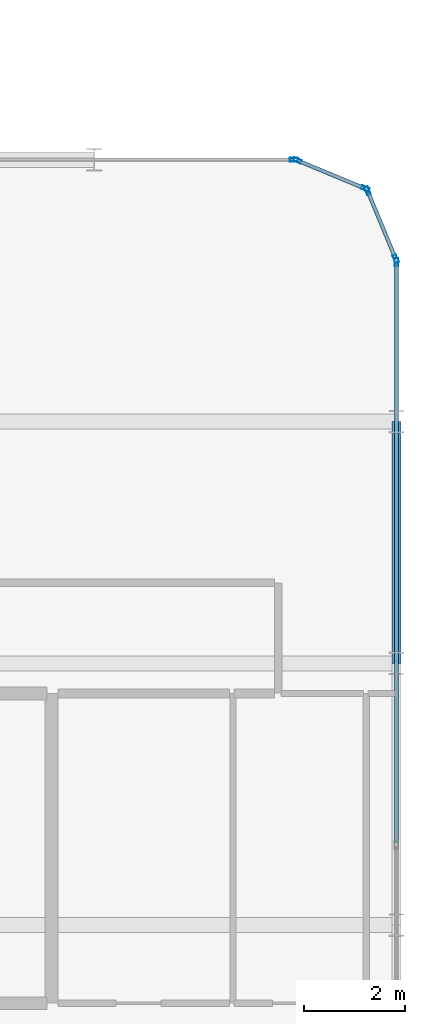
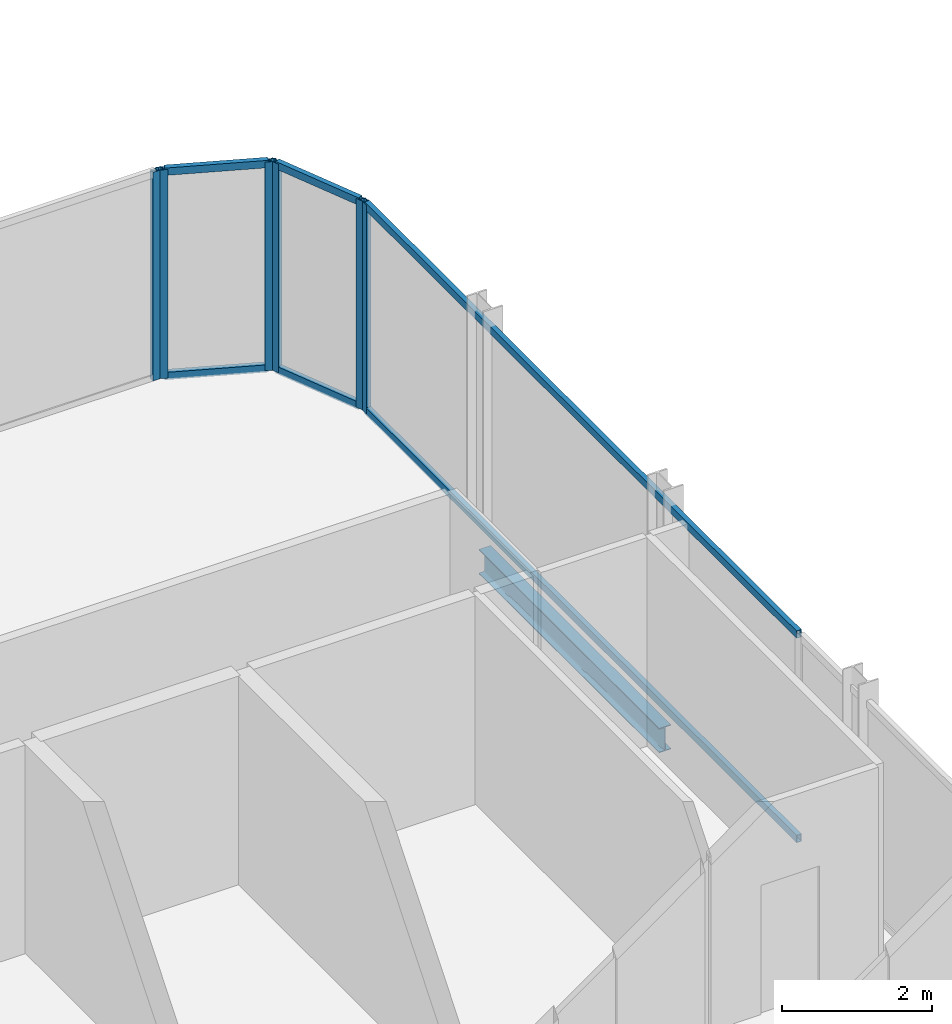
# One storey, part 15 of 29: 12 members, 1 beam, 4 elements without a shape of their own.
"""IFC4 building model written with IfcOpenShell, lengths in metres."""

from ifc_helpers import new_model, si_unit, direction, frame, origin, origin_2d, place, context, subcontext, project, spatial, hollow_rectangle, i_section, extrude, material, layer, layer_set, material_profile, profile_set, type_object, element, aggregate, save


model = new_model("IFC4")

# Units and contexts
model_context = context("Model", 3, precision=1e-05, world=origin(), true_north=direction((0.0, 1.0)))
body_context = subcontext(model_context, "Body", "Model", "MODEL_VIEW")
ifc_project = project(units=[si_unit("LENGTHUNIT", "METRE"), si_unit("AREAUNIT", "SQUARE_METRE"), si_unit("VOLUMEUNIT", "CUBIC_METRE"), si_unit("PLANEANGLEUNIT", "RADIAN"), si_unit("MASSUNIT", "GRAM", prefix="KILO")], contexts=[model_context])

# Site, building, storey
site_placement = place(None, origin())
site = spatial("IfcSite", under=ifc_project, at=site_placement, CompositionType="ELEMENT")
building_placement = place(site_placement, origin())
building = spatial("IfcBuilding", under=site, at=building_placement, Name="Keshet Zoharim Tower", CompositionType="ELEMENT")
storey_placement = place(building_placement, frame((0.0, 0.0, 169.10009765625)))
storey = spatial("IfcBuildingStorey", under=building, at=storey_placement, Name="L41", CompositionType="ELEMENT", Elevation=169.10009765625)

# Beam
ifc_material_1 = material(Name="Steel S355", Category="steel")
ifc_material_profile_1 = material_profile(ifc_material_1, i_section(OverallWidth=0.179931640625, OverallDepth=0.39990234375, WebThickness=0.008544921875, FlangeThickness=0.013427734375, FilletRadius=0.02099609375, at=origin_2d()), Name="IPE400")
ifc_profile_set_1 = profile_set([ifc_material_profile_1], Name="Steel S355")
beam_type = type_object("IfcBeamType", Name="BM-PRI-IP400", PredefinedType="BEAM", material=ifc_profile_set_1)
beam_placement = place(storey_placement, frame((57.0, 17.89990234375, -0.510009765625), z_axis=(0.0, 1.0, 0.0), x_axis=(-1.0, 0.0, 0.0)))
element("IfcBeam", 1, at=beam_placement, inside=storey, type_object=beam_type, Name="L41 Primary Girder Y-015", PredefinedType="BEAM", context=body_context, shape_type="SweptSolid", body=[
    extrude(i_section(OverallWidth=0.179931640625, OverallDepth=0.39990234375, WebThickness=0.008544921875, FlangeThickness=0.013427734375, FilletRadius=0.02099609375, at=origin_2d()), origin(), (0.0, 0.0, 1.0), 4.800048828125),
])

# Curtain wall, members
ifc_material_2 = material(Name="Aluminium 6063-T6", Category="aluminium")
ifc_layer = layer(ifc_material_2, 0.139892578125)
ifc_layer_set = layer_set([ifc_layer], Name="Aluminium 6063-T6")
curtain_wall_type = type_object("IfcCurtainWallType", Name="CW-SYS-05", PredefinedType="NOTDEFINED", material=ifc_layer_set)
curtain_wall_1_placement = place(storey_placement, origin())
curtain_wall_1 = element("IfcCurtainWall", 2, at=curtain_wall_1_placement, inside=storey, type_object=curtain_wall_type, Name="L41 Unitised Curtain Wall 01", PredefinedType="NOTDEFINED")
ifc_material_profile_2 = material_profile(ifc_material_2, hollow_rectangle(XDim=0.074951171875, YDim=0.159912109375, WallThickness=0.00390625, at=origin_2d()), Name="MUL-75x160")
ifc_profile_set_2 = profile_set([ifc_material_profile_2], Name="Aluminium 6063-T6")
member_type_1 = type_object("IfcMemberType", Name="CWM-M15", PredefinedType="MULLION", material=ifc_profile_set_2)
member_1_placement = place(storey_placement, frame((55.0322265625, 27.88671875, 0.0), z_axis=(0.0, 0.0, 1.0), x_axis=(0.382851849847, 0.92380975372, 0.0)))
member_1 = element("IfcMember", 3, at=member_1_placement, type_object=member_type_1, Name="CW-05 mullion 1", PredefinedType="MULLION", context=body_context, shape_type="SweptSolid", body=[
    extrude(hollow_rectangle(XDim=0.074951171875, YDim=0.159912109375, WallThickness=0.00390625, at=origin_2d()), origin(), (0.0, 0.0, 1.0), 3.389892578125),
])
member_2_placement = place(storey_placement, frame((56.381591796875, 27.327392578125, 0.0), z_axis=(0.0, 0.0, 1.0), x_axis=(0.382851849847, 0.92380975372, 0.0)))
member_2 = element("IfcMember", 4, at=member_2_placement, type_object=member_type_1, Name="CW-05 mullion 2", PredefinedType="MULLION", context=body_context, shape_type="SweptSolid", body=[
    extrude(hollow_rectangle(XDim=0.074951171875, YDim=0.159912109375, WallThickness=0.00390625, at=origin_2d()), origin(), (0.0, 0.0, 1.0), 3.389892578125),
])

curtain_wall_2_placement = place(storey_placement, origin())
curtain_wall_2 = element("IfcCurtainWall", 5, at=curtain_wall_2_placement, inside=storey, type_object=curtain_wall_type, Name="L41 Unitised Curtain Wall 02", PredefinedType="NOTDEFINED")
member_3_placement = place(storey_placement, frame((56.427490234375, 27.28173828125, 0.0), z_axis=(0.0, 0.0, 1.0), x_axis=(0.92380975372, 0.382851849847, 0.0)))
member_3 = element("IfcMember", 6, at=member_3_placement, type_object=member_type_1, Name="CW-05 mullion 1", PredefinedType="MULLION", context=body_context, shape_type="SweptSolid", body=[
    extrude(hollow_rectangle(XDim=0.074951171875, YDim=0.159912109375, WallThickness=0.00390625, at=origin_2d()), origin(), (0.0, 0.0, 1.0), 3.389892578125),
])
member_4_placement = place(storey_placement, frame((56.986572265625, 25.932373046875, 0.0), z_axis=(0.0, 0.0, 1.0), x_axis=(0.92380975372, 0.382851849847, 0.0)))
member_4 = element("IfcMember", 7, at=member_4_placement, type_object=member_type_1, Name="CW-05 mullion 2", PredefinedType="MULLION", context=body_context, shape_type="SweptSolid", body=[
    extrude(hollow_rectangle(XDim=0.074951171875, YDim=0.159912109375, WallThickness=0.00390625, at=origin_2d()), origin(), (0.0, 0.0, 1.0), 3.389892578125),
])

# Curtain wall, member
curtain_wall_3_placement = place(storey_placement, origin())
curtain_wall_3 = element("IfcCurtainWall", 8, at=curtain_wall_3_placement, inside=storey, type_object=curtain_wall_type, Name="L41 Unitised Curtain Wall 03", PredefinedType="NOTDEFINED")
member_5_placement = place(storey_placement, frame((57.0, 25.864990234375, 0.0), z_axis=(0.0, 0.0, 1.0), x_axis=(1.0, 0.0, 0.0)))
member_5 = element("IfcMember", 9, at=member_5_placement, type_object=member_type_1, Name="CW-05 mullion 1", PredefinedType="MULLION", context=body_context, shape_type="SweptSolid", body=[
    extrude(hollow_rectangle(XDim=0.074951171875, YDim=0.159912109375, WallThickness=0.00390625, at=origin_2d()), origin(), (0.0, 0.0, 1.0), 3.389892578125),
])

curtain_wall_4_placement = place(storey_placement, origin())
curtain_wall_4 = element("IfcCurtainWall", 10, at=curtain_wall_4_placement, inside=storey, type_object=curtain_wall_type, Name="L41 Unitised Curtain Wall 20 Part 2", PredefinedType="NOTDEFINED")
member_6_placement = place(storey_placement, frame((54.965087890625, 27.89990234375, 0.0), z_axis=(0.0, 0.0, 1.0), x_axis=(0.0, 1.0, 0.0)))
member_6 = element("IfcMember", 11, at=member_6_placement, type_object=member_type_1, Name="CW-05 mullion 2", PredefinedType="MULLION", context=body_context, shape_type="SweptSolid", body=[
    extrude(hollow_rectangle(XDim=0.074951171875, YDim=0.159912109375, WallThickness=0.00390625, at=origin_2d()), origin(), (0.0, 0.0, 1.0), 3.389892578125),
])
aggregate(curtain_wall_4, [member_6])

# Member
ifc_material_profile_3 = material_profile(ifc_material_2, hollow_rectangle(XDim=0.074951171875, YDim=0.1201171875, WallThickness=0.00390625, at=origin_2d()), Name="TRN-75x120")
ifc_profile_set_3 = profile_set([ifc_material_profile_3], Name="Aluminium 6063-T6")
member_type_2 = type_object("IfcMemberType", Name="CWT-T12", PredefinedType="USERDEFINED", material=ifc_profile_set_3)
member_7_placement = place(storey_placement, frame((55.064697265625, 27.873291015625, 0.034912109375), z_axis=(0.92379209995, -0.382894445076, 0.0), x_axis=(0.382894445076, 0.92379209995, 0.0)))
member_7 = element("IfcMember", 12, at=member_7_placement, type_object=member_type_2, Name="CW-05 transom 1.1", ObjectType="TRANSOM", PredefinedType="USERDEFINED", context=body_context, shape_type="SweptSolid", body=[
    extrude(hollow_rectangle(XDim=0.074951171875, YDim=0.1201171875, WallThickness=0.00390625, at=origin_2d()), origin(), (0.0, 0.0, 1.0), 1.390625),
])

member_8_placement = place(storey_placement, frame((55.064697265625, 27.873291015625, 3.35498046875), z_axis=(0.92379209995, -0.382894445076, 0.0), x_axis=(0.382894445076, 0.92379209995, 0.0)))
member_8 = element("IfcMember", 13, at=member_8_placement, type_object=member_type_2, Name="CW-05 transom 1.2", ObjectType="TRANSOM", PredefinedType="USERDEFINED", context=body_context, shape_type="SweptSolid", body=[
    extrude(hollow_rectangle(XDim=0.074951171875, YDim=0.1201171875, WallThickness=0.00390625, at=origin_2d()), origin(), (0.0, 0.0, 1.0), 1.390625),
])

aggregate(curtain_wall_1, [member_1, member_2, member_7, member_8])

member_9_placement = place(storey_placement, frame((56.44091796875, 27.249267578125, 0.034912109375), z_axis=(0.382744609247, -0.923854189844, 0.0), x_axis=(0.923854189844, 0.382744609247, 0.0)))
member_9 = element("IfcMember", 14, at=member_9_placement, type_object=member_type_2, Name="CW-05 transom 1.1", ObjectType="TRANSOM", PredefinedType="USERDEFINED", context=body_context, shape_type="SweptSolid", body=[
    extrude(hollow_rectangle(XDim=0.074951171875, YDim=0.1201171875, WallThickness=0.00390625, at=origin_2d()), origin(), (0.0, 0.0, 1.0), 1.390625),
])

member_10_placement = place(storey_placement, frame((56.44091796875, 27.249267578125, 3.35498046875), z_axis=(0.382744609247, -0.923854189844, 0.0), x_axis=(0.923854189844, 0.382744609247, 0.0)))
member_10 = element("IfcMember", 15, at=member_10_placement, type_object=member_type_2, Name="CW-05 transom 1.2", ObjectType="TRANSOM", PredefinedType="USERDEFINED", context=body_context, shape_type="SweptSolid", body=[
    extrude(hollow_rectangle(XDim=0.074951171875, YDim=0.1201171875, WallThickness=0.00390625, at=origin_2d()), origin(), (0.0, 0.0, 1.0), 1.390625),
])

aggregate(curtain_wall_2, [member_3, member_4, member_9, member_10])

member_11_placement = place(storey_placement, frame((57.0, 25.830078125, 0.034912109375), z_axis=(0.0, -1.0, 0.0), x_axis=(1.0, 0.0, 0.0)))
member_11 = element("IfcMember", 16, at=member_11_placement, type_object=member_type_2, Name="CW-05 transom 1.1", ObjectType="TRANSOM", PredefinedType="USERDEFINED", context=body_context, shape_type="SweptSolid", body=[
    extrude(hollow_rectangle(XDim=0.074951171875, YDim=0.1201171875, WallThickness=0.00390625, at=origin_2d()), origin(), (0.0, 0.0, 1.0), 11.4951171875),
])

member_12_placement = place(storey_placement, frame((57.0, 25.830078125, 3.35498046875), z_axis=(0.0, -1.0, 0.0), x_axis=(1.0, 0.0, 0.0)))
member_12 = element("IfcMember", 17, at=member_12_placement, type_object=member_type_2, Name="CW-05 transom 1.2", ObjectType="TRANSOM", PredefinedType="USERDEFINED", context=body_context, shape_type="SweptSolid", body=[
    extrude(hollow_rectangle(XDim=0.074951171875, YDim=0.1201171875, WallThickness=0.00390625, at=origin_2d()), origin(), (0.0, 0.0, 1.0), 11.4951171875),
])

aggregate(curtain_wall_3, [member_5, member_11, member_12])

save(model, "model.ifc")
